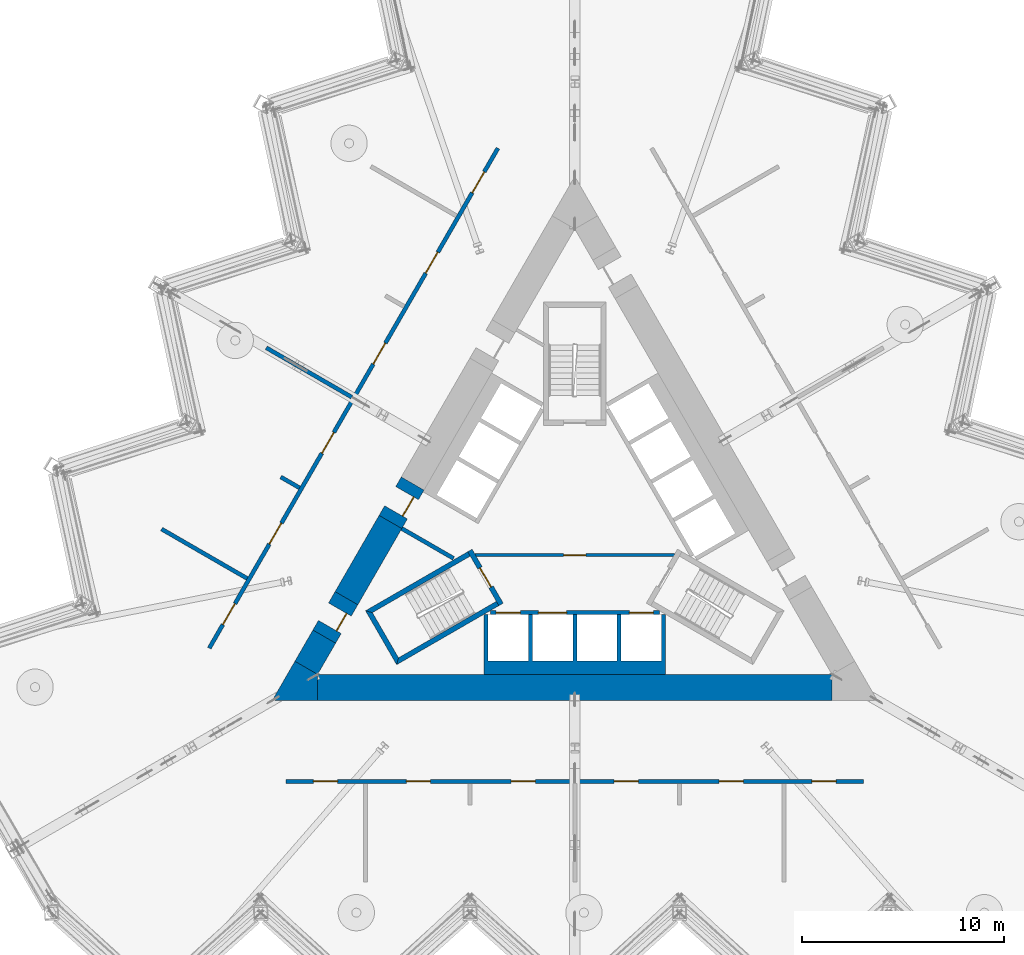
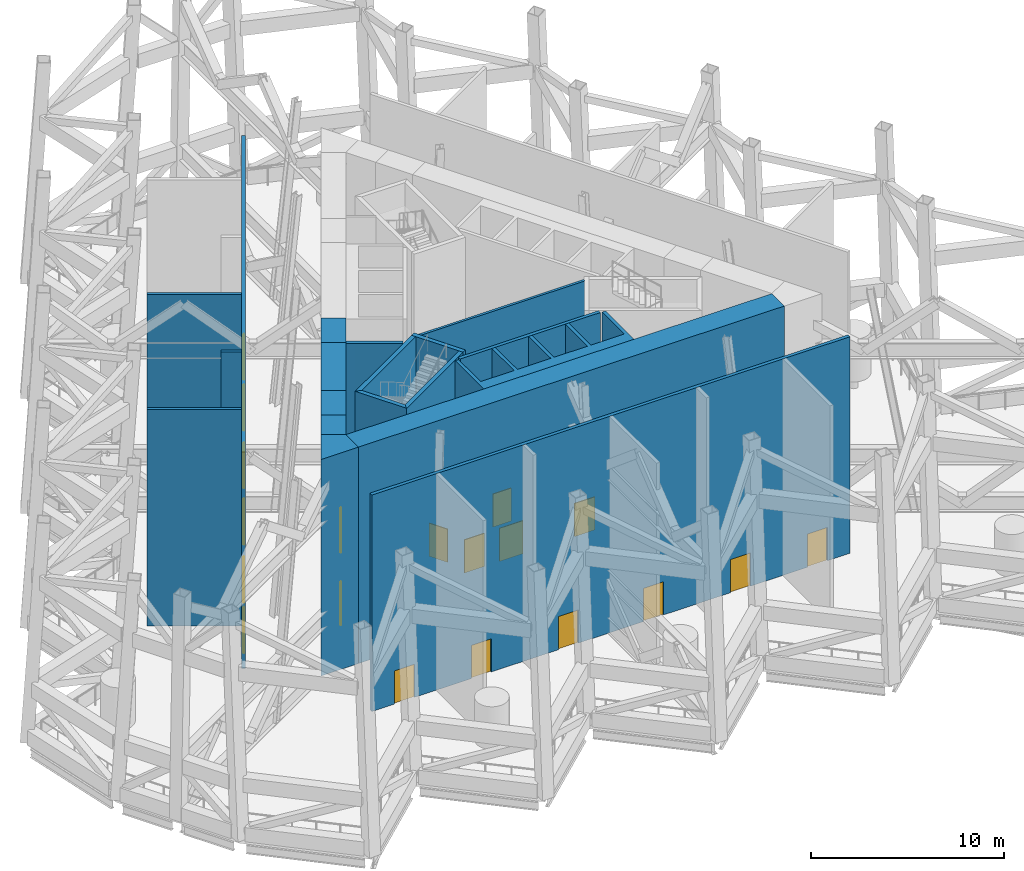
# One storey, part 8 of 19: 19 doors, 19 walls, 19 openings.
"""IFC4 building model written with IfcOpenShell, lengths in metres."""

from ifc_helpers import new_model, si_unit, direction, frame, frame_2d, origin, place, context, subcontext, project, spatial, polyline, rectangle, outline, extrude, material, layer, layer_set, type_object, element, fill, save


model = new_model("IFC4")

# Units and contexts
model_context = context("Model", 3, precision=1e-05, world=origin(), true_north=direction((0.0, 1.0)))
body_context = subcontext(model_context, "Body", "Model", "MODEL_VIEW")
ifc_project = project(units=[si_unit("LENGTHUNIT", "METRE"), si_unit("AREAUNIT", "SQUARE_METRE"), si_unit("VOLUMEUNIT", "CUBIC_METRE"), si_unit("PLANEANGLEUNIT", "RADIAN"), si_unit("MASSUNIT", "GRAM", prefix="KILO")], contexts=[model_context])

# Site, building, storey
site_placement = place(None, origin())
site = spatial("IfcSite", under=ifc_project, at=site_placement, CompositionType="ELEMENT")
building_placement = place(site_placement, origin())
building = spatial("IfcBuilding", under=site, at=building_placement, Name="Cormorant Prow Tower", CompositionType="ELEMENT")
storey_placement = place(building_placement, frame((0.0, 0.0, 287.800048828125)))
storey = spatial("IfcBuildingStorey", under=building, at=storey_placement, Name="L64", CompositionType="ELEMENT", Elevation=287.800048828125)

# Wall, opening, door
ifc_material_1 = material(Name="Gypsum board partition")
ifc_layer_1 = layer(ifc_material_1, 0.14990234375)
ifc_layer_set_1 = layer_set([ifc_layer_1], Name="Gypsum board partition")
wall_type_1 = type_object("IfcWallType", Name="Core partition 150", PredefinedType="PARTITIONING", material=ifc_layer_set_1)
wall_1_placement = place(storey_placement, frame((-4.941162109375, -1.449951171875, 0.0), z_axis=(0.0, 0.0, 1.0), x_axis=(1.0, 0.0, 0.0)))
wall_1 = element("IfcWall", 1, at=wall_1_placement, inside=storey, type_object=wall_type_1, Name="Firefighting lobby partition", PredefinedType="PARTITIONING", context=body_context, shape_type="SweptSolid", body=[
    extrude(rectangle(XDim=9.88232421875, YDim=0.14990234375, at=frame_2d((4.941162109375, 0.0))), origin(), (0.0, 0.0, 1.0), 13.699951171875),
])
opening_1_placement = place(wall_1_placement, frame((4.39111328125, 0.0, 0.0)))
opening_1 = element("IfcOpeningElement", 2, at=opening_1_placement, cuts=wall_1, Name="Opening L64-C04", PredefinedType="OPENING", context=body_context, shape_type="SweptSolid", body=[
    extrude(rectangle(XDim=1.10009765625, YDim=2.10009765625, at=frame_2d((0.550048828125, 1.050048828125))), frame((0.0, 0.0849609375, 0.0), z_axis=(0.0, -1.0, 0.0), x_axis=(1.0, 0.0, 0.0)), (0.0, 0.0, 1.0), 0.169921875),
])
ifc_material_2 = material(Name="Painted steel", Category="steel")
door_type_1 = type_object("IfcDoorType", Name="Firefighting lobby door 1100x2100", OperationType="NOTDEFINED", PredefinedType="DOOR", material=ifc_material_2)
door_1_placement = place(opening_1_placement, origin())
door_1 = element("IfcDoor", 3, at=door_1_placement, inside=storey, type_object=door_type_1, Name="Firefighting lobby door", OperationType="SINGLE_SWING_LEFT", OverallHeight=2.10009765625, OverallWidth=1.10009765625, PredefinedType="DOOR", context=body_context, shape_type="SweptSolid", body=[
    extrude(rectangle(XDim=1.10009765625, YDim=2.10009765625, at=frame_2d((0.550048828125, 1.050048828125))), frame((0.0, 0.02490234375, 0.0), z_axis=(0.0, -1.0, 0.0), x_axis=(1.0, 0.0, 0.0)), (0.0, 0.0, 1.0), 0.050048828125),
])
fill(opening_1, door_1)

# Walls
ifc_material_3 = material(Name="Concrete 8000 psi", Category="concrete")
ifc_layer_2 = layer(ifc_material_3, 1.300048828125)
ifc_layer_set_2 = layer_set([ifc_layer_2], Name="Concrete 8000 psi")
wall_type_2 = type_object("IfcWallType", Name="Core shear wall 1300", PredefinedType="SHEAR", material=ifc_layer_set_2)
wall_2_placement = place(storey_placement, frame((-12.748291015625, -8.01025390625, 0.0), z_axis=(0.0, 0.0, 1.0), x_axis=(1.0, 0.0, 0.0)))
element("IfcWall", 4, at=wall_2_placement, inside=storey, type_object=wall_type_2, Name="Core wall", PredefinedType="SHEAR", context=body_context, shape_type="SweptSolid", body=[
    extrude(rectangle(XDim=25.49658203125, YDim=1.300048828125, at=frame_2d((12.748291015625, 0.0))), origin(), (0.0, 0.0, 1.0), 13.699951171875),
])
wall_3_placement = place(storey_placement, frame((-9.13720703125, 0.194580078125, 0.0), z_axis=(0.0, 0.0, 1.0), x_axis=(-0.499985697398, -0.866033661238, 0.0)))
element("IfcWall", 5, at=wall_3_placement, inside=storey, type_object=wall_type_2, Name="Core wall", PredefinedType="SHEAR", context=body_context, shape_type="SweptSolid", body=[
    extrude(rectangle(XDim=4.362060546875, YDim=1.300048828125, at=frame_2d((2.18115234375, 0.0))), origin(), (0.0, 0.0, 1.0), 13.699951171875),
])
wall_4_placement = place(storey_placement, frame((-12.418212890625, -5.48828125, 0.0), z_axis=(0.0, 0.0, 1.0), x_axis=(-0.499931460552, -0.866064971437, 0.0)))
element("IfcWall", 6, at=wall_4_placement, inside=storey, type_object=wall_type_2, Name="Core wall", PredefinedType="SHEAR", context=body_context, shape_type="SweptSolid", body=[
    extrude(rectangle(XDim=1.786376953125, YDim=1.300048828125, at=frame_2d((0.89306640625, 0.0))), origin(), (0.0, 0.0, 1.0), 13.699951171875),
])
wall_5_placement = place(storey_placement, origin())
element("IfcWall", 7, at=wall_5_placement, inside=storey, type_object=wall_type_2, Name="Core wall corner", PredefinedType="SHEAR", context=body_context, shape_type="SweptSolid", body=[
    extrude(outline(polyline([(-13.874267578125, -6.710205078125), (-12.748291015625, -7.3603515625), (-12.748291015625, -8.660400390625), (-15.0, -8.660400390625), (-13.874267578125, -6.710205078125)])), origin(), (0.0, 0.0, 1.0), 13.699951171875),
])

# Wall, opening, door
wall_6_placement = place(storey_placement, frame((-11.318115234375, -3.5830078125, 0.0), z_axis=(0.0, 0.0, 1.0), x_axis=(-0.50002983664, -0.866008176907, 0.0)))
wall_6 = element("IfcWall", 8, at=wall_6_placement, inside=storey, type_object=wall_type_2, Name="Core wall door panel", PredefinedType="SHEAR", context=body_context, shape_type="SweptSolid", body=[
    extrude(rectangle(XDim=2.199951171875, YDim=1.300048828125, at=frame_2d((1.10009765625, 0.0))), origin(), (0.0, 0.0, 1.0), 13.699951171875),
])
opening_2_placement = place(wall_6_placement, frame((0.64990234375, 0.0, 0.0)))
opening_2 = element("IfcOpeningElement", 9, at=opening_2_placement, cuts=wall_6, Name="Opening L64-C08", PredefinedType="OPENING", context=body_context, shape_type="SweptSolid", body=[
    extrude(rectangle(XDim=1.0, YDim=2.10009765625, at=frame_2d((0.5, 1.050048828125))), frame((0.0, 0.659912109375, 0.0), z_axis=(0.0, -1.0, 0.0), x_axis=(1.0, 0.0, 0.0)), (0.0, 0.0, 1.0), 1.320068359375),
])
ifc_material_4 = material(Name="Painted steel", Category="steel")
door_type_2 = type_object("IfcDoorType", Name="Service door 1000x2100", OperationType="NOTDEFINED", PredefinedType="DOOR", material=ifc_material_4)
door_2_placement = place(opening_2_placement, origin())
door_2 = element("IfcDoor", 10, at=door_2_placement, inside=storey, type_object=door_type_2, Name="Core door, Plant maintenance store", OperationType="SINGLE_SWING_LEFT", OverallHeight=2.10009765625, OverallWidth=1.0, PredefinedType="DOOR", context=body_context, shape_type="SweptSolid", body=[
    extrude(rectangle(XDim=1.0, YDim=2.10009765625, at=frame_2d((0.5, 1.050048828125))), frame((0.0, 0.40478515625, 0.0), z_axis=(0.0, -1.0, 0.0), x_axis=(1.0, 0.0, 0.0)), (0.0, 0.0, 1.0), 0.050048828125),
])
fill(opening_2, door_2)

wall_7_placement = place(storey_placement, frame((-8.037109375, 2.099853515625, 0.0), z_axis=(0.0, 0.0, 1.0), x_axis=(-0.50002983664, -0.866008176907, 0.0)))
wall_7 = element("IfcWall", 11, at=wall_7_placement, inside=storey, type_object=wall_type_2, Name="Core wall door panel", PredefinedType="SHEAR", context=body_context, shape_type="SweptSolid", body=[
    extrude(rectangle(XDim=2.199951171875, YDim=1.300048828125, at=frame_2d((1.10009765625, 0.0))), origin(), (0.0, 0.0, 1.0), 13.699951171875),
])
opening_3_placement = place(wall_7_placement, frame((0.550048828125, 0.0, 0.0)))
opening_3 = element("IfcOpeningElement", 12, at=opening_3_placement, cuts=wall_7, Name="Opening L64-C12", PredefinedType="OPENING", context=body_context, shape_type="SweptSolid", body=[
    extrude(rectangle(XDim=1.10009765625, YDim=2.10009765625, at=frame_2d((0.550048828125, 1.050048828125))), frame((0.0, 0.659912109375, 0.0), z_axis=(0.0, -1.0, 0.0), x_axis=(1.0, 0.0, 0.0)), (0.0, 0.0, 1.0), 1.320068359375),
])
ifc_material_5 = material(Name="Painted steel", Category="steel")
door_type_3 = type_object("IfcDoorType", Name="Core door 1100x2100", OperationType="NOTDEFINED", PredefinedType="DOOR", material=ifc_material_5)
door_3_placement = place(opening_3_placement, origin())
door_3 = element("IfcDoor", 13, at=door_3_placement, inside=storey, type_object=door_type_3, Name="Core door, lift lobby", OperationType="SINGLE_SWING_RIGHT", OverallHeight=2.10009765625, OverallWidth=1.10009765625, PredefinedType="DOOR", context=body_context, shape_type="SweptSolid", body=[
    extrude(rectangle(XDim=1.10009765625, YDim=2.10009765625, at=frame_2d((0.550048828125, 1.050048828125))), frame((0.0, 0.40478515625, 0.0), z_axis=(0.0, -1.0, 0.0), x_axis=(1.0, 0.0, 0.0)), (0.0, 0.0, 1.0), 0.050048828125),
])
fill(opening_3, door_3)

# Wall, openings, doors
ifc_material_6 = material(Name="Gypsum board corridor wall")
ifc_layer_3 = layer(ifc_material_6, 0.199951171875)
ifc_layer_set_3 = layer_set([ifc_layer_3], Name="Gypsum board corridor wall")
wall_type_3 = type_object("IfcWallType", Name="Corridor wall 200", PredefinedType="PARTITIONING", material=ifc_layer_set_3)
wall_8_placement = place(storey_placement, frame((-14.30712890625, -12.660400390625, 0.0), z_axis=(0.0, 0.0, 1.0), x_axis=(1.0, 0.0, 0.0)))
wall_8 = element("IfcWall", 14, at=wall_8_placement, inside=storey, type_object=wall_type_3, Name="Corridor wall", PredefinedType="PARTITIONING", context=body_context, shape_type="SweptSolid", body=[
    extrude(rectangle(XDim=28.6142578125, YDim=0.199951171875, at=frame_2d((14.30712890625, 0.0))), origin(), (0.0, 0.0, 1.0), 13.699951171875),
])
opening_4_placement = place(wall_8_placement, frame((1.3505859375, 0.0, 0.0)))
opening_4 = element("IfcOpeningElement", 15, at=opening_4_placement, cuts=wall_8, Name="Opening L64-F01", PredefinedType="OPENING", context=body_context, shape_type="SweptSolid", body=[
    extrude(rectangle(XDim=1.199951171875, YDim=2.10009765625, at=frame_2d((0.60009765625, 1.050048828125))), frame((0.0, 0.10986328125, 0.0), z_axis=(0.0, -1.0, 0.0), x_axis=(1.0, 0.0, 0.0)), (0.0, 0.0, 1.0), 0.219970703125),
])
opening_5_placement = place(wall_8_placement, frame((26.063720703125, 0.0, 0.0)))
opening_5 = element("IfcOpeningElement", 16, at=opening_5_placement, cuts=wall_8, Name="Opening L64-F02", PredefinedType="OPENING", context=body_context, shape_type="SweptSolid", body=[
    extrude(rectangle(XDim=1.199951171875, YDim=2.10009765625, at=frame_2d((0.60009765625, 1.050048828125))), frame((0.0, 0.10986328125, 0.0), z_axis=(0.0, -1.0, 0.0), x_axis=(1.0, 0.0, 0.0)), (0.0, 0.0, 1.0), 0.219970703125),
])
opening_6_placement = place(wall_8_placement, frame((5.953125, 0.0, 0.0)))
opening_6 = element("IfcOpeningElement", 17, at=opening_6_placement, cuts=wall_8, Name="Opening L64-F03", PredefinedType="OPENING", context=body_context, shape_type="SweptSolid", body=[
    extrude(rectangle(XDim=1.199951171875, YDim=2.10009765625, at=frame_2d((0.60009765625, 1.050048828125))), frame((0.0, 0.10986328125, 0.0), z_axis=(0.0, -1.0, 0.0), x_axis=(1.0, 0.0, 0.0)), (0.0, 0.0, 1.0), 0.219970703125),
])
opening_7_placement = place(wall_8_placement, frame((11.15576171875, 0.0, 0.0)))
opening_7 = element("IfcOpeningElement", 18, at=opening_7_placement, cuts=wall_8, Name="Opening L64-F04", PredefinedType="OPENING", context=body_context, shape_type="SweptSolid", body=[
    extrude(rectangle(XDim=1.199951171875, YDim=2.10009765625, at=frame_2d((0.60009765625, 1.050048828125))), frame((0.0, 0.10986328125, 0.0), z_axis=(0.0, -1.0, 0.0), x_axis=(1.0, 0.0, 0.0)), (0.0, 0.0, 1.0), 0.219970703125),
])
opening_8_placement = place(wall_8_placement, frame((16.258544921875, 0.0, 0.0)))
opening_8 = element("IfcOpeningElement", 19, at=opening_8_placement, cuts=wall_8, Name="Opening L64-F05", PredefinedType="OPENING", context=body_context, shape_type="SweptSolid", body=[
    extrude(rectangle(XDim=1.199951171875, YDim=2.10009765625, at=frame_2d((0.60009765625, 1.050048828125))), frame((0.0, 0.10986328125, 0.0), z_axis=(0.0, -1.0, 0.0), x_axis=(1.0, 0.0, 0.0)), (0.0, 0.0, 1.0), 0.219970703125),
])
opening_9_placement = place(wall_8_placement, frame((21.46142578125, 0.0, 0.0)))
opening_9 = element("IfcOpeningElement", 20, at=opening_9_placement, cuts=wall_8, Name="Opening L64-F06", PredefinedType="OPENING", context=body_context, shape_type="SweptSolid", body=[
    extrude(rectangle(XDim=1.199951171875, YDim=2.10009765625, at=frame_2d((0.60009765625, 1.050048828125))), frame((0.0, 0.10986328125, 0.0), z_axis=(0.0, -1.0, 0.0), x_axis=(1.0, 0.0, 0.0)), (0.0, 0.0, 1.0), 0.219970703125),
])
ifc_material_7 = material(Name="Timber door leaf", Category="wood")
door_type_4 = type_object("IfcDoorType", Name="Plant room door 1200x2100", OperationType="NOTDEFINED", PredefinedType="DOOR", material=ifc_material_7)
door_4_placement = place(opening_4_placement, origin())
door_4 = element("IfcDoor", 21, at=door_4_placement, inside=storey, type_object=door_type_4, Name="Turbine control room door", OperationType="SINGLE_SWING_RIGHT", OverallHeight=2.10009765625, OverallWidth=1.199951171875, PredefinedType="DOOR", context=body_context, shape_type="SweptSolid", body=[
    extrude(rectangle(XDim=1.199951171875, YDim=2.10009765625, at=frame_2d((0.60009765625, 1.050048828125))), frame((0.0, 0.02490234375, 0.0), z_axis=(0.0, -1.0, 0.0), x_axis=(1.0, 0.0, 0.0)), (0.0, 0.0, 1.0), 0.050048828125),
])
fill(opening_4, door_4)
door_5_placement = place(opening_5_placement, origin())
door_5 = element("IfcDoor", 22, at=door_5_placement, inside=storey, type_object=door_type_4, Name="Switchgear room door", OperationType="SINGLE_SWING_RIGHT", OverallHeight=2.10009765625, OverallWidth=1.199951171875, PredefinedType="DOOR", context=body_context, shape_type="SweptSolid", body=[
    extrude(rectangle(XDim=1.199951171875, YDim=2.10009765625, at=frame_2d((0.60009765625, 1.050048828125))), frame((0.0, 0.02490234375, 0.0), z_axis=(0.0, -1.0, 0.0), x_axis=(1.0, 0.0, 0.0)), (0.0, 0.0, 1.0), 0.050048828125),
])
fill(opening_5, door_5)
door_6_placement = place(opening_6_placement, origin())
door_6 = element("IfcDoor", 23, at=door_6_placement, inside=storey, type_object=door_type_4, Name="Inverter room door", OperationType="SINGLE_SWING_RIGHT", OverallHeight=2.10009765625, OverallWidth=1.199951171875, PredefinedType="DOOR", context=body_context, shape_type="SweptSolid", body=[
    extrude(rectangle(XDim=1.199951171875, YDim=2.10009765625, at=frame_2d((0.60009765625, 1.050048828125))), frame((0.0, 0.02490234375, 0.0), z_axis=(0.0, -1.0, 0.0), x_axis=(1.0, 0.0, 0.0)), (0.0, 0.0, 1.0), 0.050048828125),
])
fill(opening_6, door_6)
door_7_placement = place(opening_7_placement, origin())
door_7 = element("IfcDoor", 24, at=door_7_placement, inside=storey, type_object=door_type_4, Name="Generator room door", OperationType="SINGLE_SWING_LEFT", OverallHeight=2.10009765625, OverallWidth=1.199951171875, PredefinedType="DOOR", context=body_context, shape_type="SweptSolid", body=[
    extrude(rectangle(XDim=1.199951171875, YDim=2.10009765625, at=frame_2d((0.60009765625, 1.050048828125))), frame((0.0, 0.02490234375, 0.0), z_axis=(0.0, -1.0, 0.0), x_axis=(1.0, 0.0, 0.0)), (0.0, 0.0, 1.0), 0.050048828125),
])
fill(opening_7, door_7)
door_8_placement = place(opening_8_placement, origin())
door_8 = element("IfcDoor", 25, at=door_8_placement, inside=storey, type_object=door_type_4, Name="Mechanical plant room door", OperationType="SINGLE_SWING_LEFT", OverallHeight=2.10009765625, OverallWidth=1.199951171875, PredefinedType="DOOR", context=body_context, shape_type="SweptSolid", body=[
    extrude(rectangle(XDim=1.199951171875, YDim=2.10009765625, at=frame_2d((0.60009765625, 1.050048828125))), frame((0.0, 0.02490234375, 0.0), z_axis=(0.0, -1.0, 0.0), x_axis=(1.0, 0.0, 0.0)), (0.0, 0.0, 1.0), 0.050048828125),
])
fill(opening_8, door_8)
door_9_placement = place(opening_9_placement, origin())
door_9 = element("IfcDoor", 26, at=door_9_placement, inside=storey, type_object=door_type_4, Name="Battery room door", OperationType="SINGLE_SWING_LEFT", OverallHeight=2.10009765625, OverallWidth=1.199951171875, PredefinedType="DOOR", context=body_context, shape_type="SweptSolid", body=[
    extrude(rectangle(XDim=1.199951171875, YDim=2.10009765625, at=frame_2d((0.60009765625, 1.050048828125))), frame((0.0, 0.02490234375, 0.0), z_axis=(0.0, -1.0, 0.0), x_axis=(1.0, 0.0, 0.0)), (0.0, 0.0, 1.0), 0.050048828125),
])
fill(opening_9, door_9)

wall_9_placement = place(storey_placement, frame((-18.11767578125, -6.060302734375, 0.0), z_axis=(0.0, 0.0, 1.0), x_axis=(0.49999867524, 0.866026168633, 0.0)))
wall_9 = element("IfcWall", 27, at=wall_9_placement, inside=storey, type_object=wall_type_3, Name="Corridor wall", PredefinedType="PARTITIONING", context=body_context, shape_type="SweptSolid", body=[
    extrude(rectangle(XDim=28.6142578125, YDim=0.199951171875, at=frame_2d((14.30712890625, 0.0))), origin(), (0.0, 0.0, 1.0), 13.699951171875),
])
opening_10_placement = place(wall_9_placement, frame((1.3505859375, 0.0, 0.0)))
opening_10 = element("IfcOpeningElement", 28, at=opening_10_placement, cuts=wall_9, Name="Opening L64-F07", PredefinedType="OPENING", context=body_context, shape_type="SweptSolid", body=[
    extrude(rectangle(XDim=1.199951171875, YDim=2.10009765625, at=frame_2d((0.60009765625, 1.050048828125))), frame((0.0, 0.10986328125, 0.0), z_axis=(0.0, -1.0, 0.0), x_axis=(1.0, 0.0, 0.0)), (0.0, 0.0, 1.0), 0.219970703125),
])
opening_11_placement = place(wall_9_placement, frame((5.953125, 0.0, 0.0)))
opening_11 = element("IfcOpeningElement", 29, at=opening_11_placement, cuts=wall_9, Name="Opening L64-F09", PredefinedType="OPENING", context=body_context, shape_type="SweptSolid", body=[
    extrude(rectangle(XDim=1.199951171875, YDim=2.10009765625, at=frame_2d((0.60009765625, 1.050048828125))), frame((0.0, 0.10986328125, 0.0), z_axis=(0.0, -1.0, 0.0), x_axis=(1.0, 0.0, 0.0)), (0.0, 0.0, 1.0), 0.219970703125),
])
opening_12_placement = place(wall_9_placement, frame((11.15576171875, 0.0, 0.0)))
opening_12 = element("IfcOpeningElement", 30, at=opening_12_placement, cuts=wall_9, Name="Opening L64-F11", PredefinedType="OPENING", context=body_context, shape_type="SweptSolid", body=[
    extrude(rectangle(XDim=1.199951171875, YDim=2.10009765625, at=frame_2d((0.60009765625, 1.050048828125))), frame((0.0, 0.10986328125, 0.0), z_axis=(0.0, -1.0, 0.0), x_axis=(1.0, 0.0, 0.0)), (0.0, 0.0, 1.0), 0.219970703125),
])
opening_13_placement = place(wall_9_placement, frame((16.258544921875, 0.0, 0.0)))
opening_13 = element("IfcOpeningElement", 31, at=opening_13_placement, cuts=wall_9, Name="Opening L64-F13", PredefinedType="OPENING", context=body_context, shape_type="SweptSolid", body=[
    extrude(rectangle(XDim=1.199951171875, YDim=2.10009765625, at=frame_2d((0.60009765625, 1.050048828125))), frame((0.0, 0.10986328125, 0.0), z_axis=(0.0, -1.0, 0.0), x_axis=(1.0, 0.0, 0.0)), (0.0, 0.0, 1.0), 0.219970703125),
])
opening_14_placement = place(wall_9_placement, frame((21.46142578125, 0.0, 0.0)))
opening_14 = element("IfcOpeningElement", 32, at=opening_14_placement, cuts=wall_9, Name="Opening L64-F15", PredefinedType="OPENING", context=body_context, shape_type="SweptSolid", body=[
    extrude(rectangle(XDim=1.199951171875, YDim=2.10009765625, at=frame_2d((0.60009765625, 1.050048828125))), frame((0.0, 0.10986328125, 0.0), z_axis=(0.0, -1.0, 0.0), x_axis=(1.0, 0.0, 0.0)), (0.0, 0.0, 1.0), 0.219970703125),
])
opening_15_placement = place(wall_9_placement, frame((26.063720703125, 0.0, 0.0)))
opening_15 = element("IfcOpeningElement", 33, at=opening_15_placement, cuts=wall_9, Name="Opening L64-F17", PredefinedType="OPENING", context=body_context, shape_type="SweptSolid", body=[
    extrude(rectangle(XDim=1.199951171875, YDim=2.10009765625, at=frame_2d((0.60009765625, 1.050048828125))), frame((0.0, 0.10986328125, 0.0), z_axis=(0.0, -1.0, 0.0), x_axis=(1.0, 0.0, 0.0)), (0.0, 0.0, 1.0), 0.219970703125),
])
door_10_placement = place(opening_10_placement, origin())
door_10 = element("IfcDoor", 34, at=door_10_placement, inside=storey, type_object=door_type_4, Name="Turbine control room door", OperationType="SINGLE_SWING_LEFT", OverallHeight=2.10009765625, OverallWidth=1.199951171875, PredefinedType="DOOR", context=body_context, shape_type="SweptSolid", body=[
    extrude(rectangle(XDim=1.199951171875, YDim=2.10009765625, at=frame_2d((0.60009765625, 1.050048828125))), frame((0.0, 0.02490234375, 0.0), z_axis=(0.0, -1.0, 0.0), x_axis=(1.0, 0.0, 0.0)), (0.0, 0.0, 1.0), 0.050048828125),
])
fill(opening_10, door_10)
door_11_placement = place(opening_11_placement, origin())
door_11 = element("IfcDoor", 35, at=door_11_placement, inside=storey, type_object=door_type_4, Name="Inverter room door", OperationType="SINGLE_SWING_RIGHT", OverallHeight=2.10009765625, OverallWidth=1.199951171875, PredefinedType="DOOR", context=body_context, shape_type="SweptSolid", body=[
    extrude(rectangle(XDim=1.199951171875, YDim=2.10009765625, at=frame_2d((0.60009765625, 1.050048828125))), frame((0.0, 0.02490234375, 0.0), z_axis=(0.0, -1.0, 0.0), x_axis=(1.0, 0.0, 0.0)), (0.0, 0.0, 1.0), 0.050048828125),
])
fill(opening_11, door_11)
door_12_placement = place(opening_12_placement, origin())
door_12 = element("IfcDoor", 36, at=door_12_placement, inside=storey, type_object=door_type_4, Name="Mechanical plant room door", OperationType="SINGLE_SWING_LEFT", OverallHeight=2.10009765625, OverallWidth=1.199951171875, PredefinedType="DOOR", context=body_context, shape_type="SweptSolid", body=[
    extrude(rectangle(XDim=1.199951171875, YDim=2.10009765625, at=frame_2d((0.60009765625, 1.050048828125))), frame((0.0, 0.02490234375, 0.0), z_axis=(0.0, -1.0, 0.0), x_axis=(1.0, 0.0, 0.0)), (0.0, 0.0, 1.0), 0.050048828125),
])
fill(opening_12, door_12)
door_13_placement = place(opening_13_placement, origin())
door_13 = element("IfcDoor", 37, at=door_13_placement, inside=storey, type_object=door_type_4, Name="Turbine control room door", OperationType="SINGLE_SWING_LEFT", OverallHeight=2.10009765625, OverallWidth=1.199951171875, PredefinedType="DOOR", context=body_context, shape_type="SweptSolid", body=[
    extrude(rectangle(XDim=1.199951171875, YDim=2.10009765625, at=frame_2d((0.60009765625, 1.050048828125))), frame((0.0, 0.02490234375, 0.0), z_axis=(0.0, -1.0, 0.0), x_axis=(1.0, 0.0, 0.0)), (0.0, 0.0, 1.0), 0.050048828125),
])
fill(opening_13, door_13)
door_14_placement = place(opening_14_placement, origin())
door_14 = element("IfcDoor", 38, at=door_14_placement, inside=storey, type_object=door_type_4, Name="Inverter room door", OperationType="SINGLE_SWING_RIGHT", OverallHeight=2.10009765625, OverallWidth=1.199951171875, PredefinedType="DOOR", context=body_context, shape_type="SweptSolid", body=[
    extrude(rectangle(XDim=1.199951171875, YDim=2.10009765625, at=frame_2d((0.60009765625, 1.050048828125))), frame((0.0, 0.02490234375, 0.0), z_axis=(0.0, -1.0, 0.0), x_axis=(1.0, 0.0, 0.0)), (0.0, 0.0, 1.0), 0.050048828125),
])
fill(opening_14, door_14)
door_15_placement = place(opening_15_placement, origin())
door_15 = element("IfcDoor", 39, at=door_15_placement, inside=storey, type_object=door_type_4, Name="Mechanical plant room door", OperationType="SINGLE_SWING_RIGHT", OverallHeight=2.10009765625, OverallWidth=1.199951171875, PredefinedType="DOOR", context=body_context, shape_type="SweptSolid", body=[
    extrude(rectangle(XDim=1.199951171875, YDim=2.10009765625, at=frame_2d((0.60009765625, 1.050048828125))), frame((0.0, 0.02490234375, 0.0), z_axis=(0.0, -1.0, 0.0), x_axis=(1.0, 0.0, 0.0)), (0.0, 0.0, 1.0), 0.050048828125),
])
fill(opening_15, door_15)

# Walls
ifc_material_8 = material(Name="Gypsum board demising wall")
ifc_layer_4 = layer(ifc_material_8, 0.199951171875)
ifc_layer_set_4 = layer_set([ifc_layer_4], Name="Gypsum board demising wall")
wall_type_4 = type_object("IfcWallType", Name="Demising wall 200", PredefinedType="PARTITIONING", material=ifc_layer_set_4)
for number, where, z_axis, x_axis, name in (
    (40, (-20.482421875, -0.15625, 0.0), (0.0, 0.0, 1.0), (0.866023786258, -0.500002801628, 0.0), "Demising wall"),
    (41, (-15.294189453125, 8.830078125, 0.0), (0.0, 0.0, 1.0), (0.866023786258, -0.500002801628, 0.0), "Demising wall"),
):
    element("IfcWall", number, at=place(storey_placement, frame(where, z_axis=z_axis, x_axis=x_axis)), inside=storey, type_object=wall_type_4, Name=name, PredefinedType="PARTITIONING", context=body_context, shape_type="SweptSolid", body=[
        extrude(rectangle(XDim=4.89990234375, YDim=0.199951171875, at=frame_2d((2.449951171875, 0.0))), origin(), (0.0, 0.0, 1.0), 13.699951171875),
    ])
wall_10_placement = place(storey_placement, frame((-14.57373046875, 2.42333984375, 0.0), z_axis=(0.0, 0.0, 1.0), x_axis=(0.866007444426, -0.500031105231, 0.0)))
element("IfcWall", 42, at=wall_10_placement, inside=storey, type_object=wall_type_4, Name="Demising wall", PredefinedType="PARTITIONING", context=body_context, shape_type="SweptSolid", body=[
    extrude(rectangle(XDim=1.07275390625, YDim=0.199951171875, at=frame_2d((0.536376953125, 0.0))), origin(), (0.0, 0.0, 1.0), 13.699951171875),
])

# Wall, openings, doors
ifc_material_9 = material(Name="Concrete 5000 psi", Category="concrete")
ifc_layer_5 = layer(ifc_material_9, 0.199951171875)
ifc_layer_set_5 = layer_set([ifc_layer_5], Name="Concrete 5000 psi")
wall_type_5 = type_object("IfcWallType", Name="Lift lobby wall 200", PredefinedType="SOLIDWALL", material=ifc_layer_set_5)
wall_11_placement = place(storey_placement, frame((-4.1865234375, -4.300048828125, 0.0), z_axis=(0.0, 0.0, 1.0), x_axis=(1.0, 0.0, 0.0)))
wall_11 = element("IfcWall", 43, at=wall_11_placement, inside=storey, type_object=wall_type_5, Name="Lift lobby wall, S block", PredefinedType="SOLIDWALL", context=body_context, shape_type="SweptSolid", body=[
    extrude(rectangle(XDim=8.373046875, YDim=0.199951171875, at=frame_2d((4.1865234375, 0.0))), origin(), (0.0, 0.0, 1.0), 13.699951171875),
])
opening_16_placement = place(wall_11_placement, frame((0.28662109375, 0.0, 0.0)))
opening_16 = element("IfcOpeningElement", 44, at=opening_16_placement, cuts=wall_11, Name="Opening L64-C01", PredefinedType="OPENING", context=body_context, shape_type="SweptSolid", body=[
    extrude(rectangle(XDim=1.199951171875, YDim=2.10009765625, at=frame_2d((0.60009765625, 1.050048828125))), frame((0.0, 0.10986328125, 0.0), z_axis=(0.0, -1.0, 0.0), x_axis=(1.0, 0.0, 0.0)), (0.0, 0.0, 1.0), 0.219970703125),
])
opening_17_placement = place(wall_11_placement, frame((2.38671875, 0.0, 0.0)))
opening_17 = element("IfcOpeningElement", 45, at=opening_17_placement, cuts=wall_11, Name="Opening L64-C02", PredefinedType="OPENING", context=body_context, shape_type="SweptSolid", body=[
    extrude(rectangle(XDim=1.39990234375, YDim=2.10009765625, at=frame_2d((0.699951171875, 1.050048828125))), frame((0.0, 0.10986328125, 0.0), z_axis=(0.0, -1.0, 0.0), x_axis=(1.0, 0.0, 0.0)), (0.0, 0.0, 1.0), 0.219970703125),
])
opening_18_placement = place(wall_11_placement, frame((6.88671875, 0.0, 0.0)))
opening_18 = element("IfcOpeningElement", 46, at=opening_18_placement, cuts=wall_11, Name="Opening L64-C03", PredefinedType="OPENING", context=body_context, shape_type="SweptSolid", body=[
    extrude(rectangle(XDim=1.199951171875, YDim=2.10009765625, at=frame_2d((0.60009765625, 1.050048828125))), frame((0.0, 0.10986328125, 0.0), z_axis=(0.0, -1.0, 0.0), x_axis=(1.0, 0.0, 0.0)), (0.0, 0.0, 1.0), 0.219970703125),
])
ifc_material_10 = material(Name="Painted steel", Category="steel")
door_type_5 = type_object("IfcDoorType", Name="Firefighting lift landing door 1200x2100", OperationType="SLIDING_TO_LEFT", PredefinedType="DOOR", material=ifc_material_10)
door_16_placement = place(opening_16_placement, origin())
door_16 = element("IfcDoor", 47, at=door_16_placement, inside=storey, type_object=door_type_5, Name="Landing door FL1", OperationType="SLIDING_TO_LEFT", OverallHeight=2.10009765625, OverallWidth=1.199951171875, PredefinedType="DOOR", context=body_context, shape_type="SweptSolid", body=[
    extrude(rectangle(XDim=1.199951171875, YDim=2.10009765625, at=frame_2d((0.60009765625, 1.050048828125))), frame((0.0, 0.02490234375, 0.0), z_axis=(0.0, -1.0, 0.0), x_axis=(1.0, 0.0, 0.0)), (0.0, 0.0, 1.0), 0.050048828125),
])
fill(opening_16, door_16)
door_17_placement = place(opening_18_placement, origin())
door_17 = element("IfcDoor", 48, at=door_17_placement, inside=storey, type_object=door_type_5, Name="Landing door FL2", OperationType="SLIDING_TO_LEFT", OverallHeight=2.10009765625, OverallWidth=1.199951171875, PredefinedType="DOOR", context=body_context, shape_type="SweptSolid", body=[
    extrude(rectangle(XDim=1.199951171875, YDim=2.10009765625, at=frame_2d((0.60009765625, 1.050048828125))), frame((0.0, 0.02490234375, 0.0), z_axis=(0.0, -1.0, 0.0), x_axis=(1.0, 0.0, 0.0)), (0.0, 0.0, 1.0), 0.050048828125),
])
fill(opening_18, door_17)
ifc_material_11 = material(Name="Painted steel", Category="steel")
door_type_6 = type_object("IfcDoorType", Name="Service lift landing door 1400x2100", OperationType="SLIDING_TO_LEFT", PredefinedType="DOOR", material=ifc_material_11)
door_18_placement = place(opening_17_placement, origin())
door_18 = element("IfcDoor", 49, at=door_18_placement, inside=storey, type_object=door_type_6, Name="Landing door SL1", OperationType="SLIDING_TO_LEFT", OverallHeight=2.10009765625, OverallWidth=1.39990234375, PredefinedType="DOOR", context=body_context, shape_type="SweptSolid", body=[
    extrude(rectangle(XDim=1.39990234375, YDim=2.10009765625, at=frame_2d((0.699951171875, 1.050048828125))), frame((0.0, 0.02490234375, 0.0), z_axis=(0.0, -1.0, 0.0), x_axis=(1.0, 0.0, 0.0)), (0.0, 0.0, 1.0), 0.050048828125),
])
fill(opening_17, door_18)

# Walls
ifc_material_12 = material(Name="Concrete 8000 psi", Category="concrete")
ifc_layer_6 = layer(ifc_material_12, 0.199951171875)
ifc_layer_set_6 = layer_set([ifc_layer_6], Name="Concrete 8000 psi")
wall_type_6 = type_object("IfcWallType", Name="Lift shaft wall 200", PredefinedType="SHEAR", material=ifc_layer_set_6)
wall_12_placement = place(storey_placement, origin())
element("IfcWall", 50, at=wall_12_placement, inside=storey, type_object=wall_type_6, Name="Lift shaft walls, S block", PredefinedType="SHEAR", context=body_context, shape_type="SweptSolid", body=[
    extrude(outline(polyline([(4.5, -7.3603515625), (-4.5, -7.3603515625), (-4.5, -4.39990234375), (-4.300048828125, -4.39990234375), (-4.300048828125, -6.699951171875), (-2.300048828125, -6.699951171875), (-2.300048828125, -4.39990234375), (-2.10009765625, -4.39990234375), (-2.10009765625, -6.699951171875), (-0.10009765625, -6.699951171875), (-0.10009765625, -4.39990234375), (0.10009765625, -4.39990234375), (0.10009765625, -6.699951171875), (2.10009765625, -6.699951171875), (2.10009765625, -4.39990234375), (2.300048828125, -4.39990234375), (2.300048828125, -6.699951171875), (4.300048828125, -6.699951171875), (4.300048828125, -4.39990234375), (4.5, -4.39990234375), (4.5, -7.3603515625)])), origin(), (0.0, 0.0, 1.0), 13.699951171875),
])
wall_13_placement = place(storey_placement, origin())
element("IfcWall", 51, at=wall_13_placement, inside=storey, type_object=wall_type_6, Name="Lift shaft walls, WNW block", PredefinedType="SHEAR", context=body_context, shape_type="SweptSolid", body=[
    extrude(outline(polyline([(-8.524169921875, -0.043701171875), (-8.130859375, -0.27099609375), (-5.96044921875, -1.52392578125), (-6.060546875, -1.697021484375), (-8.230712890625, -0.444091796875), (-8.624267578125, -0.217041015625), (-8.524169921875, -0.043701171875)])), origin(), (0.0, 0.0, 1.0), 13.699951171875),
])
ifc_material_13 = material(Name="Concrete 8000 psi", Category="concrete")
ifc_layer_7 = layer(ifc_material_13, 0.25)
ifc_layer_set_7 = layer_set([ifc_layer_7], Name="Concrete 8000 psi")
wall_type_7 = type_object("IfcWallType", Name="Stair wall 250", PredefinedType="SHEAR", material=ifc_layer_set_7)
wall_14_placement = place(storey_placement, origin())
element("IfcWall", 52, at=wall_14_placement, inside=storey, type_object=wall_type_7, Name="Stair ST1 enclosure wall (flank)", PredefinedType="SHEAR", context=body_context, shape_type="SweptSolid", body=[
    extrude(outline(polyline([(-5.30712890625, -1.28125), (-10.37353515625, -4.206298828125), (-10.031982421875, -4.2978515625), (-5.18212890625, -1.497802734375), (-5.30712890625, -1.28125)])), origin(), (0.0, 0.0, 1.0), 13.699951171875),
])
wall_15_placement = place(storey_placement, origin())
element("IfcWall", 53, at=wall_15_placement, inside=storey, type_object=wall_type_7, Name="Stair ST1 enclosure wall (end)", PredefinedType="SHEAR", context=body_context, shape_type="SweptSolid", body=[
    extrude(outline(polyline([(-10.37353515625, -4.206298828125), (-8.82958984375, -6.880615234375), (-8.738037109375, -6.5390625), (-10.031982421875, -4.2978515625), (-10.37353515625, -4.206298828125)])), origin(), (0.0, 0.0, 1.0), 13.699951171875),
])
wall_16_placement = place(storey_placement, origin())
element("IfcWall", 54, at=wall_16_placement, inside=storey, type_object=wall_type_7, Name="Stair ST1 enclosure wall (flank)", PredefinedType="SHEAR", context=body_context, shape_type="SweptSolid", body=[
    extrude(outline(polyline([(-8.738037109375, -6.5390625), (-8.82958984375, -6.880615234375), (-3.76318359375, -3.95556640625), (-3.88818359375, -3.739013671875), (-8.738037109375, -6.5390625)])), origin(), (0.0, 0.0, 1.0), 13.699951171875),
])

# Wall, opening, door
wall_17_placement = place(storey_placement, frame((-5.198974609375, -1.21875, 0.0), z_axis=(0.0, 0.0, 1.0), x_axis=(0.499982516597, -0.866035497597, 0.0)))
wall_17 = element("IfcWall", 55, at=wall_17_placement, inside=storey, type_object=wall_type_7, Name="Stair ST1 door wall", PredefinedType="SHEAR", context=body_context, shape_type="SweptSolid", body=[
    extrude(rectangle(XDim=3.087890625, YDim=0.25, at=frame_2d((1.5439453125, 0.0))), origin(), (0.0, 0.0, 1.0), 13.699951171875),
])
opening_19_placement = place(wall_17_placement, frame((0.993896484375, 0.0, 0.0)))
opening_19 = element("IfcOpeningElement", 56, at=opening_19_placement, cuts=wall_17, Name="Opening L64-C05", PredefinedType="OPENING", context=body_context, shape_type="SweptSolid", body=[
    extrude(rectangle(XDim=1.10009765625, YDim=2.10009765625, at=frame_2d((0.550048828125, 1.050048828125))), frame((0.0, 0.135009765625, 0.0), z_axis=(0.0, -1.0, 0.0), x_axis=(1.0, 0.0, 0.0)), (0.0, 0.0, 1.0), 0.27001953125),
])
ifc_material_14 = material(Name="Painted steel", Category="steel")
door_type_7 = type_object("IfcDoorType", Name="Stair door 1100x2100", OperationType="NOTDEFINED", PredefinedType="DOOR", material=ifc_material_14)
door_19_placement = place(opening_19_placement, origin())
door_19 = element("IfcDoor", 57, at=door_19_placement, inside=storey, type_object=door_type_7, Name="Stair ST1 door", OperationType="SINGLE_SWING_LEFT", OverallHeight=2.10009765625, OverallWidth=1.10009765625, PredefinedType="DOOR", context=body_context, shape_type="SweptSolid", body=[
    extrude(rectangle(XDim=1.10009765625, YDim=2.10009765625, at=frame_2d((0.550048828125, 1.050048828125))), frame((0.0, 0.02490234375, 0.0), z_axis=(0.0, -1.0, 0.0), x_axis=(1.0, 0.0, 0.0)), (0.0, 0.0, 1.0), 0.050048828125),
])
fill(opening_19, door_19)

save(model, "model.ifc")
